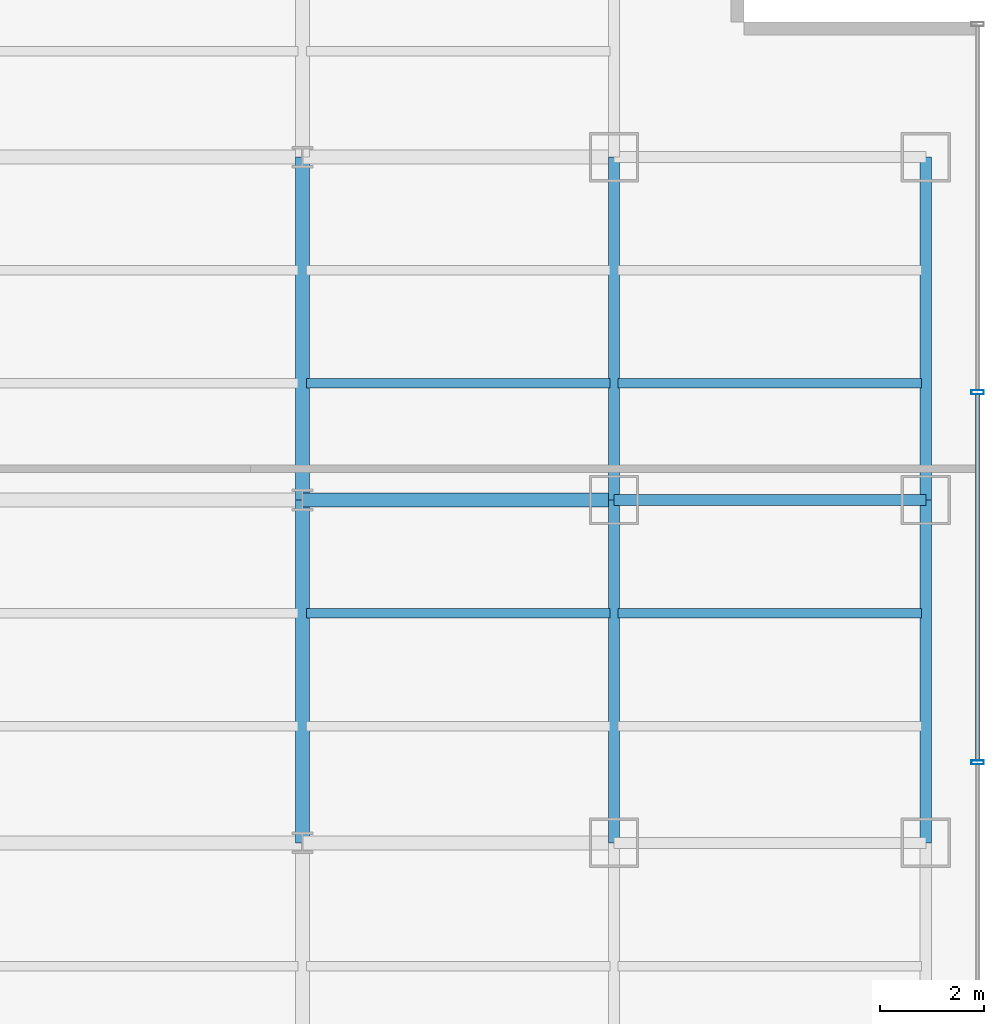
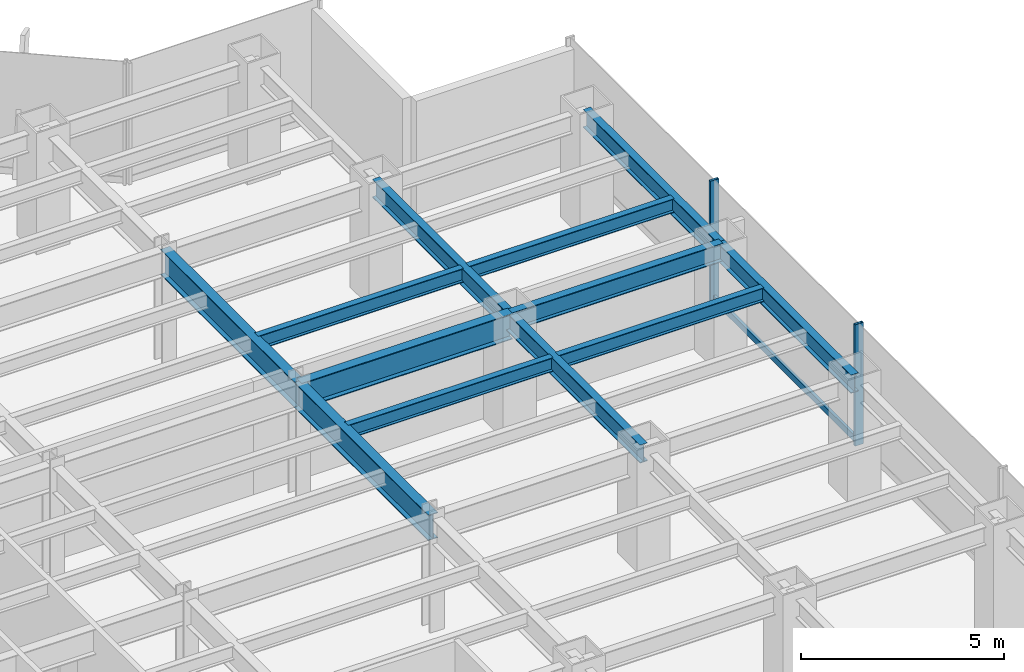
# One storey, part 9 of 22: 12 beams, 3 members, 1 element without a shape of its own.
"""IFC4 building model written with IfcOpenShell, lengths in metres."""

from ifc_helpers import new_model, si_unit, derived_unit, direction, frame, origin, origin_2d, place, context, subcontext, project, spatial, hollow_rectangle, i_section, extrude, source, transform, mapped, material, material_profile, profile_set, type_object, element, aggregate, save


model = new_model("IFC4")

# Units and contexts
model_context = context("Model", 3, precision=1e-05, world=origin(), true_north=direction((0.0, 1.0)))
body_context = subcontext(model_context, "Body", "Model", "MODEL_VIEW")
ifc_project = project(units=[si_unit("LENGTHUNIT", "METRE"), si_unit("AREAUNIT", "SQUARE_METRE"), si_unit("VOLUMEUNIT", "CUBIC_METRE"), si_unit("PLANEANGLEUNIT", "RADIAN"), si_unit("MASSUNIT", "GRAM", prefix="KILO"), derived_unit("THERMALTRANSMITTANCEUNIT", [(si_unit("POWERUNIT", "WATT"), 1), (si_unit("LENGTHUNIT", "METRE"), -2), (si_unit("THERMODYNAMICTEMPERATUREUNIT", "KELVIN"), -1)])], contexts=[model_context])

# Site, building, storey
site_placement = place(None, origin())
site = spatial("IfcSite", under=ifc_project, at=site_placement, CompositionType="ELEMENT")
building_placement = place(site_placement, origin())
building = spatial("IfcBuilding", under=site, at=building_placement, Name="Skarnbrae Concourse Arena and Tower", CompositionType="ELEMENT")
storey_placement = place(building_placement, frame((0.0, 0.0, 72.64990234375)))
storey = spatial("IfcBuildingStorey", under=building, at=storey_placement, Name="L17", CompositionType="ELEMENT", Elevation=72.64990234375)

# Beams
ifc_material_1 = material(Name="Steel CSA G40.21 350W", Category="steel")
ifc_material_profile_1 = material_profile(ifc_material_1, i_section(OverallWidth=0.214111328125, OverallDepth=0.549072265625, WebThickness=0.0146484375, FlangeThickness=0.023681640625, at=origin_2d()), Name="W530X138")
ifc_profile_set_1 = profile_set([ifc_material_profile_1], Name="Steel CSA G40.21 350W")
beam_type_1 = type_object("IfcBeamType", Name="BM-SPAN-W530X138", PredefinedType="SPANDREL", material=ifc_profile_set_1)
shared_shape_1 = source(origin(), body_context, "Body", "SweptSolid", [
    extrude(i_section(OverallWidth=0.214111328125, OverallDepth=0.549072265625, WebThickness=0.0146484375, FlangeThickness=0.023681640625, at=origin_2d()), origin(), (0.0, 0.0, 1.0), 6.0),
])
beam_1_placement = place(storey_placement, frame((55.0, 27.800048828125, 3.12548828125), z_axis=(1.0, 0.0, 0.0), x_axis=(0.0, 1.0, 0.0)))
element("IfcBeam", 1, at=beam_1_placement, inside=storey, type_object=beam_type_1, Name="L17 Perimeter spandrel Y27.8-9", PredefinedType="SPANDREL", context=body_context, shape_type="MappedRepresentation", body=[
    mapped(shared_shape_1, transform((0.0, 0.0, 0.0))),
])
ifc_material_profile_2 = material_profile(ifc_material_1, i_section(OverallWidth=0.26806640625, OverallDepth=0.77001953125, WebThickness=0.015625, FlangeThickness=0.025390625, at=origin_2d()), Name="W760X196")
ifc_profile_set_2 = profile_set([ifc_material_profile_2], Name="Steel CSA G40.21 350W")
beam_type_2 = type_object("IfcBeamType", Name="BM-GIRD-W760X196", PredefinedType="BEAM", material=ifc_profile_set_2)
shared_shape_2 = source(origin(), body_context, "Body", "SweptSolid", [
    extrude(i_section(OverallWidth=0.26806640625, OverallDepth=0.77001953125, WebThickness=0.015625, FlangeThickness=0.025390625, at=origin_2d()), origin(), (0.0, 0.0, 1.0), 6.60009765625),
])
beam_2_placement = place(storey_placement, frame((49.0, 21.199951171875, 3.01513671875), z_axis=(0.0, 1.0, 0.0), x_axis=(-1.0, 0.0, 0.0)))
element("IfcBeam", 2, at=beam_2_placement, inside=storey, type_object=beam_type_2, Name="L17 Primary N-S girder X49.0-3", PredefinedType="BEAM", context=body_context, shape_type="MappedRepresentation", body=[
    mapped(shared_shape_2, transform((0.0, 0.0, 0.0))),
])
shared_shape_3 = source(origin(), body_context, "Body", "SweptSolid", [
    extrude(i_section(OverallWidth=0.26806640625, OverallDepth=0.77001953125, WebThickness=0.015625, FlangeThickness=0.025390625, at=origin_2d()), origin(), (0.0, 0.0, 1.0), 6.0),
])
beam_3_placement = place(storey_placement, frame((49.0, 27.800048828125, 3.01513671875), z_axis=(1.0, 0.0, 0.0), x_axis=(0.0, 1.0, 0.0)))
element("IfcBeam", 3, at=beam_3_placement, inside=storey, type_object=beam_type_2, Name="L17 Primary E-W girder Y27.8-8", PredefinedType="BEAM", context=body_context, shape_type="MappedRepresentation", body=[
    mapped(shared_shape_3, transform((0.0, 0.0, 0.0))),
])
shared_shape_4 = source(origin(), body_context, "Body", "SweptSolid", [
    extrude(i_section(OverallWidth=0.214111328125, OverallDepth=0.549072265625, WebThickness=0.0146484375, FlangeThickness=0.023681640625, at=origin_2d()), origin(), (0.0, 0.0, 1.0), 6.60009765625),
])
for number, where, z_axis, x_axis, name in (
    (4, (55.0, 21.199951171875, 3.12548828125), (0.0, 1.0, 0.0), (-1.0, 0.0, 0.0), "L17 Perimeter spandrel X55.0-3"),
    (5, (61.0, 21.199951171875, 3.12548828125), (0.0, 1.0, 0.0), (-1.0, 0.0, 0.0), "L17 Perimeter spandrel X61.0-3"),
):
    element("IfcBeam", number, at=place(storey_placement, frame(where, z_axis=z_axis, x_axis=x_axis)), inside=storey, type_object=beam_type_1, Name=name, PredefinedType="SPANDREL", context=body_context, shape_type="MappedRepresentation", body=[
        mapped(shared_shape_4, transform((0.0, 0.0, 0.0))),
    ])
shared_shape_5 = source(origin(), body_context, "Body", "SweptSolid", [
    extrude(i_section(OverallWidth=0.214111328125, OverallDepth=0.549072265625, WebThickness=0.0146484375, FlangeThickness=0.023681640625, at=origin_2d()), origin(), (0.0, 0.0, 1.0), 6.599853515625),
])
for number, where, z_axis, x_axis, name in (
    (6, (55.0, 27.800048828125, 3.12548828125), (0.0, 1.0, 0.0), (-1.0, 0.0, 0.0), "L17 Perimeter spandrel X55.0-4"),
    (7, (61.0, 27.800048828125, 3.12548828125), (0.0, 1.0, 0.0), (-1.0, 0.0, 0.0), "L17 Perimeter spandrel X61.0-4"),
):
    element("IfcBeam", number, at=place(storey_placement, frame(where, z_axis=z_axis, x_axis=x_axis)), inside=storey, type_object=beam_type_1, Name=name, PredefinedType="SPANDREL", context=body_context, shape_type="MappedRepresentation", body=[
        mapped(shared_shape_5, transform((0.0, 0.0, 0.0))),
    ])
shared_shape_6 = source(origin(), body_context, "Body", "SweptSolid", [
    extrude(i_section(OverallWidth=0.26806640625, OverallDepth=0.77001953125, WebThickness=0.015625, FlangeThickness=0.025390625, at=origin_2d()), origin(), (0.0, 0.0, 1.0), 6.599853515625),
])
beam_4_placement = place(storey_placement, frame((49.0, 27.800048828125, 3.01513671875), z_axis=(0.0, 1.0, 0.0), x_axis=(-1.0, 0.0, 0.0)))
element("IfcBeam", 8, at=beam_4_placement, inside=storey, type_object=beam_type_2, Name="L17 Primary N-S girder X49.0-4", PredefinedType="BEAM", context=body_context, shape_type="MappedRepresentation", body=[
    mapped(shared_shape_6, transform((0.0, 0.0, 0.0))),
])
ifc_material_profile_3 = material_profile(ifc_material_1, i_section(OverallWidth=0.180908203125, OverallDepth=0.4169921875, WebThickness=0.010986328125, FlangeThickness=0.018310546875, at=origin_2d()), Name="W410X85")
ifc_profile_set_3 = profile_set([ifc_material_profile_3], Name="Steel CSA G40.21 350W")
beam_type_3 = type_object("IfcBeamType", Name="BM-JOIST-W410X85", PredefinedType="JOIST", material=ifc_profile_set_3)
shared_shape_7 = source(origin(), body_context, "Body", "SweptSolid", [
    extrude(i_section(OverallWidth=0.180908203125, OverallDepth=0.4169921875, WebThickness=0.010986328125, FlangeThickness=0.018310546875, at=origin_2d()), origin(), (0.0, 0.0, 1.0), 5.83984375),
])
for number, where, z_axis, x_axis, name in (
    (9, (49.080078125, 25.6220703125, 3.191650390625), (1.0, 0.0, 0.0), (0.0, 1.0, 0.0), "L17 Secondary floor joist 2.2.8"),
    (10, (55.080078125, 25.6220703125, 3.191650390625), (1.0, 0.0, 0.0), (0.0, 1.0, 0.0), "L17 Secondary floor joist 2.2.9"),
    (11, (49.080078125, 30.0439453125, 3.191650390625), (1.0, 0.0, 0.0), (0.0, 1.0, 0.0), "L17 Secondary floor joist 3.1.8"),
    (12, (55.080078125, 30.0439453125, 3.191650390625), (1.0, 0.0, 0.0), (0.0, 1.0, 0.0), "L17 Secondary floor joist 3.1.9"),
):
    element("IfcBeam", number, at=place(storey_placement, frame(where, z_axis=z_axis, x_axis=x_axis)), inside=storey, type_object=beam_type_3, Name=name, PredefinedType="JOIST", context=body_context, shape_type="MappedRepresentation", body=[
        mapped(shared_shape_7, transform((0.0, 0.0, 0.0))),
    ])

# Curtain wall, members
ifc_material_2 = material(Name="Bronze anodised aluminium 6063-T6", Category="aluminium")
curtain_wall_type = type_object("IfcCurtainWallType", Name="CW-SYS-02-LOWZONE", PredefinedType="USERDEFINED", material=ifc_material_2)
curtain_wall_placement = place(storey_placement, origin())
curtain_wall = element("IfcCurtainWall", 13, at=curtain_wall_placement, inside=storey, type_object=curtain_wall_type, Name="L17 Unitised curtain wall CW-L17-E04", ObjectType="UNITISED CURTAIN WALL", PredefinedType="USERDEFINED")
ifc_material_profile_4 = material_profile(ifc_material_2, hollow_rectangle(XDim=0.080078125, YDim=0.18994140625, WallThickness=0.0048828125, at=origin_2d()), Name="ALU-TRAN-80X190")
ifc_profile_set_4 = profile_set([ifc_material_profile_4], Name="Bronze anodised aluminium 6063-T6")
member_type_1 = type_object("IfcMemberType", Name="CWT-CW-02", PredefinedType="USERDEFINED", material=ifc_profile_set_4)
shared_shape_8 = source(origin(), body_context, "Body", "SweptSolid", [
    extrude(hollow_rectangle(XDim=0.080078125, YDim=0.18994140625, WallThickness=0.0048828125, at=origin_2d()), origin(), (0.0, 0.0, 1.0), 7.044921875),
])
member_1_placement = place(storey_placement, frame((62.0, 22.7900390625, 0.09521484375), z_axis=(0.0, 1.0, 0.0), x_axis=(-1.0, 0.0, 0.0)))
member_1 = element("IfcMember", 14, at=member_1_placement, type_object=member_type_1, Name="CW-L17-E04 Transom 3", ObjectType="TRANSOM", PredefinedType="USERDEFINED", context=body_context, shape_type="MappedRepresentation", body=[
    mapped(shared_shape_8, transform((0.0, 0.0, 0.0))),
])
ifc_material_profile_5 = material_profile(ifc_material_2, hollow_rectangle(XDim=0.080078125, YDim=0.239990234375, WallThickness=0.0048828125, at=origin_2d()), Name="ALU-MULL-80X240")
ifc_profile_set_5 = profile_set([ifc_material_profile_5], Name="Bronze anodised aluminium 6063-T6")
member_type_2 = type_object("IfcMemberType", Name="CWM-CW-02", PredefinedType="MULLION", material=ifc_profile_set_5)
shared_shape_9 = source(origin(), body_context, "Body", "SweptSolid", [
    extrude(hollow_rectangle(XDim=0.080078125, YDim=0.239990234375, WallThickness=0.0048828125, at=origin_2d()), origin(), (0.0, 0.0, 1.0), 3.650146484375),
])
member_2_placement = place(storey_placement, frame((62.0, 22.75, 0.0), z_axis=(0.0, 0.0, 1.0), x_axis=(0.0, 1.0, 0.0)))
member_2 = element("IfcMember", 15, at=member_2_placement, type_object=member_type_2, Name="CW-L17-E04 Mullion 3", PredefinedType="MULLION", context=body_context, shape_type="MappedRepresentation", body=[
    mapped(shared_shape_9, transform((0.0, 0.0, 0.0))),
])
member_3_placement = place(storey_placement, frame((62.0, 29.875, 0.0), z_axis=(0.0, 0.0, 1.0), x_axis=(0.0, 1.0, 0.0)))
member_3 = element("IfcMember", 16, at=member_3_placement, type_object=member_type_2, Name="CW-L17-E04 Mullion 4", PredefinedType="MULLION", context=body_context, shape_type="MappedRepresentation", body=[
    mapped(shared_shape_9, transform((0.0, 0.0, 0.0))),
])
aggregate(curtain_wall, [member_2, member_3, member_1])

save(model, "model.ifc")
